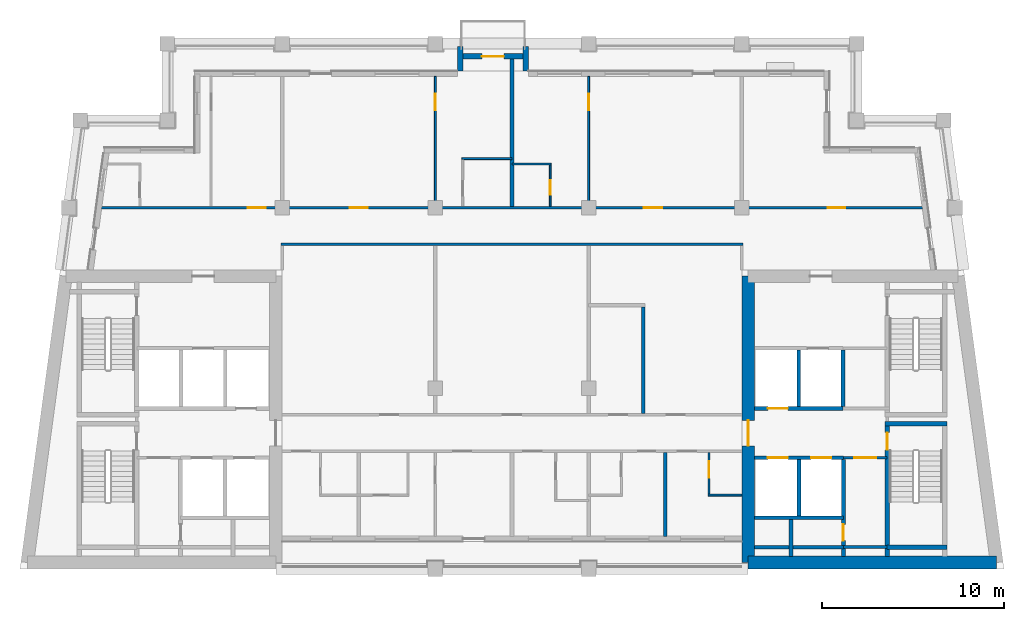
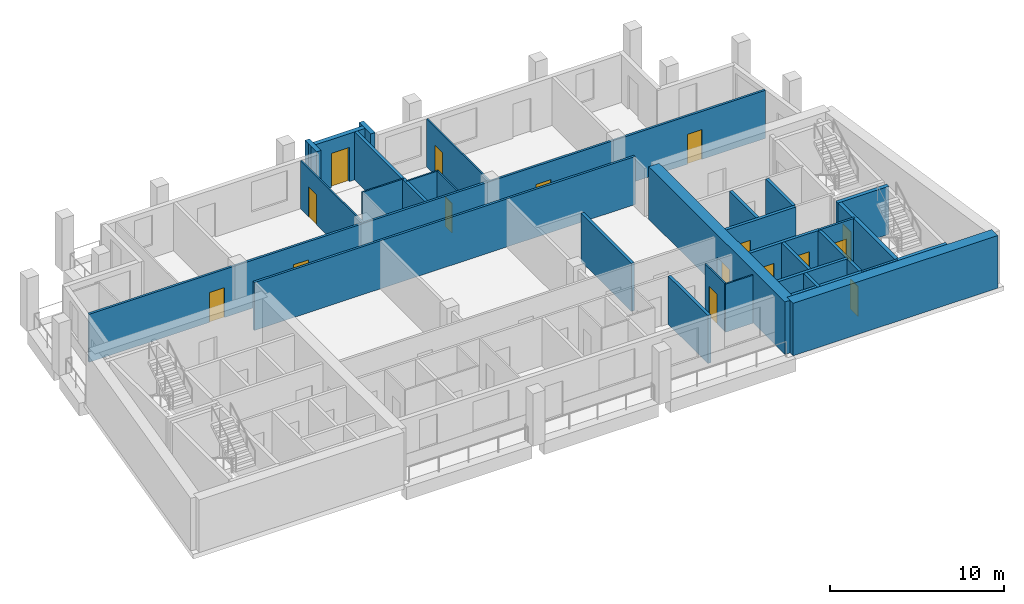
# One storey, part 4 of 10: 31 walls, 16 doors, 16 openings.
"""IFC4 building model written with IfcOpenShell, lengths in metres."""

from ifc_helpers import new_model, si_unit, direction, frame, frame_2d, origin, place, context, subcontext, project, spatial, rectangle, extrude, material, layer, layer_set, type_object, element, fill, save


model = new_model("IFC4")

# Units and contexts
model_context = context("Model", 3, precision=1e-05, world=origin(), true_north=direction((0.0, 1.0)))
body_context = subcontext(model_context, "Body", "Model", "MODEL_VIEW")
ifc_project = project(units=[si_unit("LENGTHUNIT", "METRE"), si_unit("AREAUNIT", "SQUARE_METRE"), si_unit("VOLUMEUNIT", "CUBIC_METRE"), si_unit("PLANEANGLEUNIT", "RADIAN"), si_unit("MASSUNIT", "GRAM", prefix="KILO")], contexts=[model_context])

# Site, building, storey
site_placement = place(None, origin())
site = spatial("IfcSite", under=ifc_project, at=site_placement, CompositionType="ELEMENT")
building_placement = place(site_placement, origin())
building = spatial("IfcBuilding", under=site, at=building_placement, Name="Candeia Pilgrim Tower and Theatre", CompositionType="ELEMENT")
storey_placement = place(building_placement, frame((0.0, 0.0, 288.60009765625)))
storey = spatial("IfcBuildingStorey", under=building, at=storey_placement, Name="L70", CompositionType="ELEMENT", Elevation=288.60009765625)

# Wall
ifc_material_1 = material(Name="Concrete C40/50", Category="concrete")
ifc_layer_1 = layer(ifc_material_1, 0.699951171875)
ifc_layer_set_1 = layer_set([ifc_layer_1], Name="Core wall 700 C40/50")
wall_type_1 = type_object("IfcWallType", Name="Core wall 700 C40/50", PredefinedType="SHEAR", material=ifc_layer_set_1)
wall_1_placement = place(storey_placement, frame((139.9765625, 116.35009765625, 0.0), z_axis=(0.0, 0.0, 1.0), x_axis=(-1.0, 0.0, 0.0)))
element("IfcWall", 1, at=wall_1_placement, inside=storey, type_object=wall_type_1, Name="Core wall E3", PredefinedType="SHEAR", context=body_context, shape_type="SweptSolid", body=[
    extrude(rectangle(XDim=13.62646484375, YDim=0.699951171875, at=frame_2d((6.813232421875, 0.0))), origin(), (0.0, 0.0, 1.0), 3.699951171875),
])

# Wall, opening, door
wall_2_placement = place(storey_placement, frame((126.35009765625, 116.35009765625, 0.0), z_axis=(0.0, 0.0, 1.0), x_axis=(0.0, 1.0, 0.0)))
wall_2 = element("IfcWall", 2, at=wall_2_placement, inside=storey, type_object=wall_type_1, Name="Core wall E4", PredefinedType="SHEAR", context=body_context, shape_type="SweptSolid", body=[
    extrude(rectangle(XDim=15.699951171875, YDim=0.699951171875, at=frame_2d((7.85009765625, 0.0))), origin(), (0.0, 0.0, 1.0), 3.699951171875),
])
opening_1_placement = place(wall_2_placement, frame((6.39990234375, 0.0, 0.0)))
opening_1 = element("IfcOpeningElement", 3, at=opening_1_placement, cuts=wall_2, Name="Opening L70-D037", PredefinedType="OPENING", context=body_context, shape_type="SweptSolid", body=[
    extrude(rectangle(XDim=1.39990234375, YDim=2.10009765625, at=frame_2d((0.699951171875, 1.050048828125))), frame((0.0, 0.35986328125, 0.0), z_axis=(0.0, -1.0, 0.0), x_axis=(1.0, 0.0, 0.0)), (0.0, 0.0, 1.0), 0.719970703125),
])
ifc_material_2 = material(Name="Steel fire door set", Category="steel")
door_type_1 = type_object("IfcDoorType", Name="D-1400-FD60", OperationType="NOTDEFINED", PredefinedType="DOOR", material=ifc_material_2)
door_1_placement = place(opening_1_placement, origin())
door_1 = element("IfcDoor", 4, at=door_1_placement, inside=storey, type_object=door_type_1, Name="Door L70-D037", OperationType="SINGLE_SWING_LEFT", OverallHeight=2.10009765625, OverallWidth=1.39990234375, PredefinedType="DOOR", context=body_context, shape_type="SweptSolid", body=[
    extrude(rectangle(XDim=1.39990234375, YDim=2.10009765625, at=frame_2d((0.699951171875, 1.050048828125))), frame((0.0, 0.02490234375, 0.0), z_axis=(0.0, -1.0, 0.0), x_axis=(1.0, 0.0, 0.0)), (0.0, 0.0, 1.0), 0.050048828125),
])
fill(opening_1, door_1)

# Walls
ifc_material_3 = material(Name="Ceramic block masonry", Category="masonry")
ifc_layer_2 = layer(ifc_material_3, 0.300048828125)
ifc_layer_set_2 = layer_set([ifc_layer_2], Name="EW2 entrance infill wall 300")
wall_type_2 = type_object("IfcWallType", Name="EW2 entrance infill wall 300", PredefinedType="SOLIDWALL", material=ifc_layer_set_2)
for number, where, z_axis, x_axis, name in (
    (5, (114.14990234375, 143.300048828125, 0.0), (0.0, 0.0, 1.0), (0.0, 1.0, 0.0), "Alcove wall L70"),
    (6, (110.550048828125, 143.300048828125, 0.0), (0.0, 0.0, 1.0), (0.0, 1.0, 0.0), "Alcove wall L70"),
):
    element("IfcWall", number, at=place(storey_placement, frame(where, z_axis=z_axis, x_axis=x_axis)), inside=storey, type_object=wall_type_2, Name=name, PredefinedType="SOLIDWALL", context=body_context, shape_type="SweptSolid", body=[
        extrude(rectangle(XDim=1.349853515625, YDim=0.300048828125, at=frame_2d((0.6748046875, 0.0))), origin(), (0.0, 0.0, 1.0), 3.3798828125),
    ])

# Wall, opening, door
wall_3_placement = place(storey_placement, frame((114.300048828125, 144.10009765625, 0.0), z_axis=(0.0, 0.0, 1.0), x_axis=(-1.0, 0.0, 0.0)))
wall_3 = element("IfcWall", 7, at=wall_3_placement, inside=storey, type_object=wall_type_2, Name="Alcove wall L70", PredefinedType="SOLIDWALL", context=body_context, shape_type="SweptSolid", body=[
    extrude(rectangle(XDim=3.900146484375, YDim=0.300048828125, at=frame_2d((1.9501953125, 0.0))), origin(), (0.0, 0.0, 1.0), 3.3798828125),
])
opening_2_placement = place(wall_3_placement, frame((1.35009765625, 0.0, 0.0)))
opening_2 = element("IfcOpeningElement", 8, at=opening_2_placement, cuts=wall_3, Name="Opening L70-ED659", PredefinedType="OPENING", context=body_context, shape_type="SweptSolid", body=[
    extrude(rectangle(XDim=1.199951171875, YDim=2.39990234375, at=frame_2d((0.60009765625, 1.199951171875))), frame((0.0, 0.16015625, 0.0), z_axis=(0.0, -1.0, 0.0), x_axis=(1.0, 0.0, 0.0)), (0.0, 0.0, 1.0), 0.320068359375),
])
ifc_material_4 = material(Name="Aluminium framed glazed door", Category="aluminium")
door_type_2 = type_object("IfcDoorType", Name="Loggia door 1200x2400", OperationType="DOUBLE_DOOR_SINGLE_SWING", PredefinedType="DOOR", material=ifc_material_4)
door_2_placement = place(opening_2_placement, origin())
door_2 = element("IfcDoor", 9, at=door_2_placement, inside=storey, type_object=door_type_2, Name="Balcony door L70-ED659", OperationType="DOUBLE_DOOR_SINGLE_SWING", OverallHeight=2.39990234375, OverallWidth=1.199951171875, PredefinedType="DOOR", context=body_context, shape_type="SweptSolid", body=[
    extrude(rectangle(XDim=1.199951171875, YDim=2.39990234375, at=frame_2d((0.60009765625, 1.199951171875))), frame((0.0, 0.02490234375, 0.0), z_axis=(0.0, -1.0, 0.0), x_axis=(1.0, 0.0, 0.0)), (0.0, 0.0, 1.0), 0.050048828125),
])
fill(opening_2, door_2)

# Walls
ifc_material_5 = material(Name="Gypsum board partition on steel studs", Category="steel")
ifc_layer_3 = layer(ifc_material_5, 0.10009765625)
ifc_layer_set_3 = layer_set([ifc_layer_3], Name="PW-100 room partition")
wall_type_3 = type_object("IfcWallType", Name="PW-100 room partition", PredefinedType="PARTITIONING", material=ifc_layer_set_3)
wall_4_placement = place(storey_placement, frame((124.14990234375, 120.050048828125, 0.0), z_axis=(0.0, 0.0, 1.0), x_axis=(1.0, 0.0, 0.0)))
element("IfcWall", 10, at=wall_4_placement, inside=storey, type_object=wall_type_3, Name="Room partition L70-012", PredefinedType="PARTITIONING", context=body_context, shape_type="SweptSolid", body=[
    extrude(rectangle(XDim=1.85009765625, YDim=0.10009765625, at=frame_2d((0.925048828125, 0.0))), origin(), (0.0, 0.0, 1.0), 3.3798828125),
])
wall_5_placement = place(storey_placement, frame((113.39990234375, 138.199951171875, 0.0), z_axis=(0.0, 0.0, 1.0), x_axis=(1.0, 0.0, 0.0)))
element("IfcWall", 11, at=wall_5_placement, inside=storey, type_object=wall_type_3, Name="Room partition L70-035", PredefinedType="PARTITIONING", context=body_context, shape_type="SweptSolid", body=[
    extrude(rectangle(XDim=2.150146484375, YDim=0.10009765625, at=frame_2d((1.0751953125, 0.0))), origin(), (0.0, 0.0, 1.0), 3.3798828125),
])
wall_6_placement = place(storey_placement, frame((110.64990234375, 138.5, 0.0), z_axis=(0.0, 0.0, 1.0), x_axis=(1.0, 0.0, 0.0)))
element("IfcWall", 12, at=wall_6_placement, inside=storey, type_object=wall_type_3, Name="Room partition L70-036", PredefinedType="PARTITIONING", context=body_context, shape_type="SweptSolid", body=[
    extrude(rectangle(XDim=2.75, YDim=0.10009765625, at=frame_2d((1.375, 0.0))), origin(), (0.0, 0.0, 1.0), 3.3798828125),
])

# Wall, opening, door
wall_7_placement = place(storey_placement, frame((109.199951171875, 135.875, 0.0), z_axis=(0.0, 0.0, 1.0), x_axis=(0.0, 1.0, 0.0)))
wall_7 = element("IfcWall", 13, at=wall_7_placement, inside=storey, type_object=wall_type_3, Name="Room partition L70-055", PredefinedType="PARTITIONING", context=body_context, shape_type="SweptSolid", body=[
    extrude(rectangle(XDim=7.135009765625, YDim=0.10009765625, at=frame_2d((3.5673828125, 0.0))), origin(), (0.0, 0.0, 1.0), 3.3798828125),
])
opening_3_placement = place(wall_7_placement, frame((5.2900390625, 0.0, 0.0)))
opening_3 = element("IfcOpeningElement", 14, at=opening_3_placement, cuts=wall_7, Name="Opening L70-D024", PredefinedType="OPENING", context=body_context, shape_type="SweptSolid", body=[
    extrude(rectangle(XDim=0.89990234375, YDim=2.10009765625, at=frame_2d((0.449951171875, 1.050048828125))), frame((0.0, 0.06005859375, 0.0), z_axis=(0.0, -1.0, 0.0), x_axis=(1.0, 0.0, 0.0)), (0.0, 0.0, 1.0), 0.1201171875),
])
ifc_material_6 = material(Name="Timber door leaf", Category="wood")
door_type_3 = type_object("IfcDoorType", Name="D-900", OperationType="NOTDEFINED", PredefinedType="DOOR", material=ifc_material_6)
door_3_placement = place(opening_3_placement, origin())
door_3 = element("IfcDoor", 15, at=door_3_placement, inside=storey, type_object=door_type_3, Name="Door L70-D024", OperationType="SINGLE_SWING_RIGHT", OverallHeight=2.10009765625, OverallWidth=0.89990234375, PredefinedType="DOOR", context=body_context, shape_type="SweptSolid", body=[
    extrude(rectangle(XDim=0.89990234375, YDim=2.10009765625, at=frame_2d((0.449951171875, 1.050048828125))), frame((0.0, 0.02490234375, 0.0), z_axis=(0.0, -1.0, 0.0), x_axis=(1.0, 0.0, 0.0)), (0.0, 0.0, 1.0), 0.050048828125),
])
fill(opening_3, door_3)

wall_8_placement = place(storey_placement, frame((115.5, 135.875, 0.0), z_axis=(0.0, 0.0, 1.0), x_axis=(0.0, 1.0, 0.0)))
wall_8 = element("IfcWall", 16, at=wall_8_placement, inside=storey, type_object=wall_type_3, Name="Room partition L70-060", PredefinedType="PARTITIONING", context=body_context, shape_type="SweptSolid", body=[
    extrude(rectangle(XDim=2.27490234375, YDim=0.10009765625, at=frame_2d((1.137451171875, 0.0))), origin(), (0.0, 0.0, 1.0), 3.3798828125),
])
opening_4_placement = place(wall_8_placement, frame((0.635009765625, 0.0, 0.0)))
opening_4 = element("IfcOpeningElement", 17, at=opening_4_placement, cuts=wall_8, Name="Opening L70-D028", PredefinedType="OPENING", context=body_context, shape_type="SweptSolid", body=[
    extrude(rectangle(XDim=0.800048828125, YDim=2.10009765625, at=frame_2d((0.39990234375, 1.050048828125))), frame((0.0, 0.06005859375, 0.0), z_axis=(0.0, -1.0, 0.0), x_axis=(1.0, 0.0, 0.0)), (0.0, 0.0, 1.0), 0.1201171875),
])
door_type_4 = type_object("IfcDoorType", Name="D-800", OperationType="NOTDEFINED", PredefinedType="DOOR", material=ifc_material_6)
door_4_placement = place(opening_4_placement, origin())
door_4 = element("IfcDoor", 18, at=door_4_placement, inside=storey, type_object=door_type_4, Name="Door L70-D028", OperationType="SINGLE_SWING_RIGHT", OverallHeight=2.10009765625, OverallWidth=0.800048828125, PredefinedType="DOOR", context=body_context, shape_type="SweptSolid", body=[
    extrude(rectangle(XDim=0.800048828125, YDim=2.10009765625, at=frame_2d((0.39990234375, 1.050048828125))), frame((0.0, 0.02490234375, 0.0), z_axis=(0.0, -1.0, 0.0), x_axis=(1.0, 0.0, 0.0)), (0.0, 0.0, 1.0), 0.050048828125),
])
fill(opening_4, door_4)

wall_9_placement = place(storey_placement, frame((117.60009765625, 135.875, 0.0), z_axis=(0.0, 0.0, 1.0), x_axis=(0.0, 1.0, 0.0)))
wall_9 = element("IfcWall", 19, at=wall_9_placement, inside=storey, type_object=wall_type_3, Name="Room partition L70-062", PredefinedType="PARTITIONING", context=body_context, shape_type="SweptSolid", body=[
    extrude(rectangle(XDim=7.135009765625, YDim=0.10009765625, at=frame_2d((3.5673828125, 0.0))), origin(), (0.0, 0.0, 1.0), 3.3798828125),
])
opening_5_placement = place(wall_9_placement, frame((5.2900390625, 0.0, 0.0)))
opening_5 = element("IfcOpeningElement", 20, at=opening_5_placement, cuts=wall_9, Name="Opening L70-D027", PredefinedType="OPENING", context=body_context, shape_type="SweptSolid", body=[
    extrude(rectangle(XDim=0.89990234375, YDim=2.10009765625, at=frame_2d((0.449951171875, 1.050048828125))), frame((0.0, 0.06005859375, 0.0), z_axis=(0.0, -1.0, 0.0), x_axis=(1.0, 0.0, 0.0)), (0.0, 0.0, 1.0), 0.1201171875),
])
door_5_placement = place(opening_5_placement, origin())
door_5 = element("IfcDoor", 21, at=door_5_placement, inside=storey, type_object=door_type_3, Name="Door L70-D027", OperationType="SINGLE_SWING_LEFT", OverallHeight=2.10009765625, OverallWidth=0.89990234375, PredefinedType="DOOR", context=body_context, shape_type="SweptSolid", body=[
    extrude(rectangle(XDim=0.89990234375, YDim=2.10009765625, at=frame_2d((0.449951171875, 1.050048828125))), frame((0.0, 0.02490234375, 0.0), z_axis=(0.0, -1.0, 0.0), x_axis=(1.0, 0.0, 0.0)), (0.0, 0.0, 1.0), 0.050048828125),
])
fill(opening_5, door_5)

wall_10_placement = place(storey_placement, frame((124.199951171875, 120.10009765625, 0.0), z_axis=(0.0, 0.0, 1.0), x_axis=(0.0, 1.0, 0.0)))
wall_10 = element("IfcWall", 22, at=wall_10_placement, inside=storey, type_object=wall_type_3, Name="Room partition L70-068", PredefinedType="PARTITIONING", context=body_context, shape_type="SweptSolid", body=[
    extrude(rectangle(XDim=2.27490234375, YDim=0.10009765625, at=frame_2d((1.137451171875, 0.0))), origin(), (0.0, 0.0, 1.0), 3.3798828125),
])
opening_6_placement = place(wall_10_placement, frame((0.89990234375, 0.0, 0.0)))
opening_6 = element("IfcOpeningElement", 23, at=opening_6_placement, cuts=wall_10, Name="Opening L70-D019", PredefinedType="OPENING", context=body_context, shape_type="SweptSolid", body=[
    extrude(rectangle(XDim=0.89990234375, YDim=2.10009765625, at=frame_2d((0.449951171875, 1.050048828125))), frame((0.0, 0.06005859375, 0.0), z_axis=(0.0, -1.0, 0.0), x_axis=(1.0, 0.0, 0.0)), (0.0, 0.0, 1.0), 0.1201171875),
])
door_6_placement = place(opening_6_placement, origin())
door_6 = element("IfcDoor", 24, at=door_6_placement, inside=storey, type_object=door_type_3, Name="Door L70-D019", OperationType="SINGLE_SWING_LEFT", OverallHeight=2.10009765625, OverallWidth=0.89990234375, PredefinedType="DOOR", context=body_context, shape_type="SweptSolid", body=[
    extrude(rectangle(XDim=0.89990234375, YDim=2.10009765625, at=frame_2d((0.449951171875, 1.050048828125))), frame((0.0, 0.02490234375, 0.0), z_axis=(0.0, -1.0, 0.0), x_axis=(1.0, 0.0, 0.0)), (0.0, 0.0, 1.0), 0.050048828125),
])
fill(opening_6, door_6)

# Wall
ifc_layer_4 = layer(ifc_material_5, 0.14990234375)
ifc_layer_set_4 = layer_set([ifc_layer_4], Name="PW-150 lobby wall")
wall_type_4 = type_object("IfcWallType", Name="PW-150 lobby wall", PredefinedType="PARTITIONING", material=ifc_layer_set_4)
wall_11_placement = place(storey_placement, frame((131.572998046875, 117.199951171875, 0.0), z_axis=(0.0, 0.0, 1.0), x_axis=(1.0, 0.0, 0.0)))
element("IfcWall", 25, at=wall_11_placement, inside=storey, type_object=wall_type_4, Name="Lobby wall L70-004", PredefinedType="PARTITIONING", context=body_context, shape_type="SweptSolid", body=[
    extrude(rectangle(XDim=2.39990234375, YDim=0.14990234375, at=frame_2d((1.199951171875, 0.0))), origin(), (0.0, 0.0, 1.0), 3.3798828125),
])

# Wall, opening, door
wall_12_placement = place(storey_placement, frame((131.572998046875, 122.10009765625, 0.0), z_axis=(0.0, 0.0, 1.0), x_axis=(1.0, 0.0, 0.0)))
wall_12 = element("IfcWall", 26, at=wall_12_placement, inside=storey, type_object=wall_type_4, Name="Lobby wall L70-016", PredefinedType="PARTITIONING", context=body_context, shape_type="SweptSolid", body=[
    extrude(rectangle(XDim=2.39990234375, YDim=0.14990234375, at=frame_2d((1.199951171875, 0.0))), origin(), (0.0, 0.0, 1.0), 3.3798828125),
])
opening_7_placement = place(wall_12_placement, frame((0.60009765625, 0.0, 0.0)))
opening_7 = element("IfcOpeningElement", 27, at=opening_7_placement, cuts=wall_12, Name="Opening L70-D005", PredefinedType="OPENING", context=body_context, shape_type="SweptSolid", body=[
    extrude(rectangle(XDim=1.199951171875, YDim=2.10009765625, at=frame_2d((0.60009765625, 1.050048828125))), frame((0.0, 0.0849609375, 0.0), z_axis=(0.0, -1.0, 0.0), x_axis=(1.0, 0.0, 0.0)), (0.0, 0.0, 1.0), 0.169921875),
])
door_type_5 = type_object("IfcDoorType", Name="D-1200-FD60", OperationType="NOTDEFINED", PredefinedType="DOOR", material=ifc_material_2)
door_7_placement = place(opening_7_placement, origin())
door_7 = element("IfcDoor", 28, at=door_7_placement, inside=storey, type_object=door_type_5, Name="Door L70-D005", OperationType="SINGLE_SWING_LEFT", OverallHeight=2.10009765625, OverallWidth=1.199951171875, PredefinedType="DOOR", context=body_context, shape_type="SweptSolid", body=[
    extrude(rectangle(XDim=1.199951171875, YDim=2.10009765625, at=frame_2d((0.60009765625, 1.050048828125))), frame((0.0, 0.02490234375, 0.0), z_axis=(0.0, -1.0, 0.0), x_axis=(1.0, 0.0, 0.0)), (0.0, 0.0, 1.0), 0.050048828125),
])
fill(opening_7, door_7)

# Wall
ifc_layer_5 = layer(ifc_material_5, 0.14990234375)
ifc_layer_set_5 = layer_set([ifc_layer_5], Name="PW-150 unit wall")
wall_type_5 = type_object("IfcWallType", Name="PW-150 unit wall", PredefinedType="PARTITIONING", material=ifc_layer_set_5)
wall_13_placement = place(storey_placement, frame((100.72509765625, 133.800048828125, 0.0), z_axis=(0.0, 0.0, 1.0), x_axis=(1.0, 0.0, 0.0)))
element("IfcWall", 29, at=wall_13_placement, inside=storey, type_object=wall_type_5, Name="Unit wall L70-032", PredefinedType="PARTITIONING", context=body_context, shape_type="SweptSolid", body=[
    extrude(rectangle(XDim=25.349853515625, YDim=0.14990234375, at=frame_2d((12.6748046875, 0.0))), origin(), (0.0, 0.0, 1.0), 3.3798828125),
])

# Wall, openings, doors
wall_14_placement = place(storey_placement, frame((90.89453125, 135.800048828125, 0.0), z_axis=(0.0, 0.0, 1.0), x_axis=(1.0, 0.0, 0.0)))
wall_14 = element("IfcWall", 30, at=wall_14_placement, inside=storey, type_object=wall_type_5, Name="Unit wall L70-033", PredefinedType="PARTITIONING", context=body_context, shape_type="SweptSolid", body=[
    extrude(rectangle(XDim=45.010986328125, YDim=0.14990234375, at=frame_2d((22.50537109375, 0.0))), origin(), (0.0, 0.0, 1.0), 3.3798828125),
])
opening_8_placement = place(wall_14_placement, frame((8.00537109375, 0.0, 0.0)))
opening_8 = element("IfcOpeningElement", 31, at=opening_8_placement, cuts=wall_14, Name="Opening L70-D020", PredefinedType="OPENING", context=body_context, shape_type="SweptSolid", body=[
    extrude(rectangle(XDim=1.0, YDim=2.10009765625, at=frame_2d((0.5, 1.050048828125))), frame((0.0, 0.0849609375, 0.0), z_axis=(0.0, -1.0, 0.0), x_axis=(1.0, 0.0, 0.0)), (0.0, 0.0, 1.0), 0.169921875),
])
opening_9_placement = place(wall_14_placement, frame((13.60546875, 0.0, 0.0)))
opening_9 = element("IfcOpeningElement", 32, at=opening_9_placement, cuts=wall_14, Name="Opening L70-D023", PredefinedType="OPENING", context=body_context, shape_type="SweptSolid", body=[
    extrude(rectangle(XDim=1.0, YDim=2.10009765625, at=frame_2d((0.5, 1.050048828125))), frame((0.0, 0.0849609375, 0.0), z_axis=(0.0, -1.0, 0.0), x_axis=(1.0, 0.0, 0.0)), (0.0, 0.0, 1.0), 0.169921875),
])
opening_10_placement = place(wall_14_placement, frame((29.7353515625, 0.0, 0.0)))
opening_10 = element("IfcOpeningElement", 33, at=opening_10_placement, cuts=wall_14, Name="Opening L70-D026", PredefinedType="OPENING", context=body_context, shape_type="SweptSolid", body=[
    extrude(rectangle(XDim=1.0, YDim=2.10009765625, at=frame_2d((0.5, 1.050048828125))), frame((0.0, 0.0849609375, 0.0), z_axis=(0.0, -1.0, 0.0), x_axis=(1.0, 0.0, 0.0)), (0.0, 0.0, 1.0), 0.169921875),
])
opening_11_placement = place(wall_14_placement, frame((39.814453125, 0.0, 0.0)))
opening_11 = element("IfcOpeningElement", 34, at=opening_11_placement, cuts=wall_14, Name="Opening L70-D029", PredefinedType="OPENING", context=body_context, shape_type="SweptSolid", body=[
    extrude(rectangle(XDim=0.949951171875, YDim=2.10009765625, at=frame_2d((0.47509765625, 1.050048828125))), frame((0.0, 0.0849609375, 0.0), z_axis=(0.0, -1.0, 0.0), x_axis=(1.0, 0.0, 0.0)), (0.0, 0.0, 1.0), 0.169921875),
])
door_type_6 = type_object("IfcDoorType", Name="D-1000-FD30S", OperationType="NOTDEFINED", PredefinedType="DOOR", material=ifc_material_2)
door_8_placement = place(opening_8_placement, origin())
door_8 = element("IfcDoor", 35, at=door_8_placement, inside=storey, type_object=door_type_6, Name="Door L70-D020", OperationType="SINGLE_SWING_RIGHT", OverallHeight=2.10009765625, OverallWidth=1.0, PredefinedType="DOOR", context=body_context, shape_type="SweptSolid", body=[
    extrude(rectangle(XDim=1.0, YDim=2.10009765625, at=frame_2d((0.5, 1.050048828125))), frame((0.0, 0.02490234375, 0.0), z_axis=(0.0, -1.0, 0.0), x_axis=(1.0, 0.0, 0.0)), (0.0, 0.0, 1.0), 0.050048828125),
])
fill(opening_8, door_8)
door_9_placement = place(opening_9_placement, origin())
door_9 = element("IfcDoor", 36, at=door_9_placement, inside=storey, type_object=door_type_6, Name="Door L70-D023", OperationType="SINGLE_SWING_LEFT", OverallHeight=2.10009765625, OverallWidth=1.0, PredefinedType="DOOR", context=body_context, shape_type="SweptSolid", body=[
    extrude(rectangle(XDim=1.0, YDim=2.10009765625, at=frame_2d((0.5, 1.050048828125))), frame((0.0, 0.02490234375, 0.0), z_axis=(0.0, -1.0, 0.0), x_axis=(1.0, 0.0, 0.0)), (0.0, 0.0, 1.0), 0.050048828125),
])
fill(opening_9, door_9)
door_10_placement = place(opening_10_placement, origin())
door_10 = element("IfcDoor", 37, at=door_10_placement, inside=storey, type_object=door_type_6, Name="Door L70-D026", OperationType="SINGLE_SWING_RIGHT", OverallHeight=2.10009765625, OverallWidth=1.0, PredefinedType="DOOR", context=body_context, shape_type="SweptSolid", body=[
    extrude(rectangle(XDim=1.0, YDim=2.10009765625, at=frame_2d((0.5, 1.050048828125))), frame((0.0, 0.02490234375, 0.0), z_axis=(0.0, -1.0, 0.0), x_axis=(1.0, 0.0, 0.0)), (0.0, 0.0, 1.0), 0.050048828125),
])
fill(opening_10, door_10)
door_type_7 = type_object("IfcDoorType", Name="D-950-FD30S", OperationType="NOTDEFINED", PredefinedType="DOOR", material=ifc_material_2)
door_11_placement = place(opening_11_placement, origin())
door_11 = element("IfcDoor", 38, at=door_11_placement, inside=storey, type_object=door_type_7, Name="Door L70-D029", OperationType="SINGLE_SWING_LEFT", OverallHeight=2.10009765625, OverallWidth=0.949951171875, PredefinedType="DOOR", context=body_context, shape_type="SweptSolid", body=[
    extrude(rectangle(XDim=0.949951171875, YDim=2.10009765625, at=frame_2d((0.47509765625, 1.050048828125))), frame((0.0, 0.02490234375, 0.0), z_axis=(0.0, -1.0, 0.0), x_axis=(1.0, 0.0, 0.0)), (0.0, 0.0, 1.0), 0.050048828125),
])
fill(opening_11, door_11)

# Walls
ifc_layer_6 = layer(ifc_material_5, 0.199951171875)
ifc_layer_set_6 = layer_set([ifc_layer_6], Name="PW-200 party wall")
wall_type_6 = type_object("IfcWallType", Name="PW-200 party wall", PredefinedType="PARTITIONING", material=ifc_layer_set_6)
wall_15_placement = place(storey_placement, frame((113.39990234375, 135.875, 0.0), z_axis=(0.0, 0.0, 1.0), x_axis=(0.0, 1.0, 0.0)))
element("IfcWall", 39, at=wall_15_placement, inside=storey, type_object=wall_type_6, Name="Party wall L70-059", PredefinedType="PARTITIONING", context=body_context, shape_type="SweptSolid", body=[
    extrude(rectangle(XDim=8.0849609375, YDim=0.199951171875, at=frame_2d((4.04248046875, 0.0))), origin(), (0.0, 0.0, 1.0), 3.3798828125),
])
wall_16_placement = place(storey_placement, frame((120.60009765625, 124.52490234375, 0.0), z_axis=(0.0, 0.0, 1.0), x_axis=(0.0, 1.0, 0.0)))
element("IfcWall", 40, at=wall_16_placement, inside=storey, type_object=wall_type_6, Name="Party wall L70-066", PredefinedType="PARTITIONING", context=body_context, shape_type="SweptSolid", body=[
    extrude(rectangle(XDim=5.8251953125, YDim=0.199951171875, at=frame_2d((2.91259765625, 0.0))), origin(), (0.0, 0.0, 1.0), 3.3798828125),
])
wall_17_placement = place(storey_placement, frame((121.800048828125, 117.7900390625, 0.0), z_axis=(0.0, 0.0, 1.0), x_axis=(0.0, 1.0, 0.0)))
element("IfcWall", 41, at=wall_17_placement, inside=storey, type_object=wall_type_6, Name="Party wall L70-067", PredefinedType="PARTITIONING", context=body_context, shape_type="SweptSolid", body=[
    extrude(rectangle(XDim=4.5849609375, YDim=0.199951171875, at=frame_2d((2.29248046875, 0.0))), origin(), (0.0, 0.0, 1.0), 3.3798828125),
])
ifc_layer_7 = layer(ifc_material_1, 0.199951171875)
ifc_layer_set_7 = layer_set([ifc_layer_7], Name="SW-200 shaft wall")
wall_type_7 = type_object("IfcWallType", Name="SW-200 shaft wall", PredefinedType="PARTITIONING", material=ifc_layer_set_7)
for number, where, z_axis, x_axis, name in (
    (42, (126.699951171875, 117.199951171875, 0.0), (0.0, 0.0, 1.0), (1.0, 0.0, 0.0), "Shaft wall L70-002"),
    (43, (126.699951171875, 118.800048828125, 0.0), (0.0, 0.0, 1.0), (1.0, 0.0, 0.0), "Shaft wall L70-008"),
):
    element("IfcWall", number, at=place(storey_placement, frame(where, z_axis=z_axis, x_axis=x_axis)), inside=storey, type_object=wall_type_7, Name=name, PredefinedType="PARTITIONING", context=body_context, shape_type="SweptSolid", body=[
        extrude(rectangle(XDim=4.873046875, YDim=0.199951171875, at=frame_2d((2.4365234375, 0.0))), origin(), (0.0, 0.0, 1.0), 3.3798828125),
    ])

# Wall, openings, doors
wall_18_placement = place(storey_placement, frame((126.699951171875, 122.10009765625, 0.0), z_axis=(0.0, 0.0, 1.0), x_axis=(1.0, 0.0, 0.0)))
wall_18 = element("IfcWall", 44, at=wall_18_placement, inside=storey, type_object=wall_type_7, Name="Shaft wall L70-014", PredefinedType="PARTITIONING", context=body_context, shape_type="SweptSolid", body=[
    extrude(rectangle(XDim=4.873046875, YDim=0.199951171875, at=frame_2d((2.4365234375, 0.0))), origin(), (0.0, 0.0, 1.0), 3.3798828125),
])
opening_12_placement = place(wall_18_placement, frame((3.10498046875, 0.0, 0.0)))
opening_12 = element("IfcOpeningElement", 45, at=opening_12_placement, cuts=wall_18, Name="Opening L70-LD05", PredefinedType="OPENING", context=body_context, shape_type="SweptSolid", body=[
    extrude(rectangle(XDim=1.10009765625, YDim=2.10009765625, at=frame_2d((0.550048828125, 1.050048828125))), frame((0.0, 0.10986328125, 0.0), z_axis=(0.0, -1.0, 0.0), x_axis=(1.0, 0.0, 0.0)), (0.0, 0.0, 1.0), 0.219970703125),
])
opening_13_placement = place(wall_18_placement, frame((0.73193359375, 0.0, 0.0)))
opening_13 = element("IfcOpeningElement", 46, at=opening_13_placement, cuts=wall_18, Name="Opening L70-LD06", PredefinedType="OPENING", context=body_context, shape_type="SweptSolid", body=[
    extrude(rectangle(XDim=1.10009765625, YDim=2.10009765625, at=frame_2d((0.550048828125, 1.050048828125))), frame((0.0, 0.10986328125, 0.0), z_axis=(0.0, -1.0, 0.0), x_axis=(1.0, 0.0, 0.0)), (0.0, 0.0, 1.0), 0.219970703125),
])
ifc_material_7 = material(Name="Glazed aluminium landing door", Category="aluminium")
door_type_8 = type_object("IfcDoorType", Name="LD-1100-EI120", OperationType="SLIDING_TO_LEFT", PredefinedType="DOOR", material=ifc_material_7)
door_12_placement = place(opening_12_placement, origin())
door_12 = element("IfcDoor", 47, at=door_12_placement, inside=storey, type_object=door_type_8, Name="Landing door 05 L70", OperationType="SLIDING_TO_LEFT", OverallHeight=2.10009765625, OverallWidth=1.10009765625, PredefinedType="DOOR", context=body_context, shape_type="SweptSolid", body=[
    extrude(rectangle(XDim=1.10009765625, YDim=2.10009765625, at=frame_2d((0.550048828125, 1.050048828125))), frame((0.0, 0.02490234375, 0.0), z_axis=(0.0, -1.0, 0.0), x_axis=(1.0, 0.0, 0.0)), (0.0, 0.0, 1.0), 0.050048828125),
])
fill(opening_12, door_12)
door_13_placement = place(opening_13_placement, origin())
door_13 = element("IfcDoor", 48, at=door_13_placement, inside=storey, type_object=door_type_8, Name="Landing door 06 L70", OperationType="SLIDING_TO_LEFT", OverallHeight=2.10009765625, OverallWidth=1.10009765625, PredefinedType="DOOR", context=body_context, shape_type="SweptSolid", body=[
    extrude(rectangle(XDim=1.10009765625, YDim=2.10009765625, at=frame_2d((0.550048828125, 1.050048828125))), frame((0.0, 0.02490234375, 0.0), z_axis=(0.0, -1.0, 0.0), x_axis=(1.0, 0.0, 0.0)), (0.0, 0.0, 1.0), 0.050048828125),
])
fill(opening_13, door_13)

# Wall, opening, door
wall_19_placement = place(storey_placement, frame((126.699951171875, 124.800048828125, 0.0), z_axis=(0.0, 0.0, 1.0), x_axis=(1.0, 0.0, 0.0)))
wall_19 = element("IfcWall", 49, at=wall_19_placement, inside=storey, type_object=wall_type_7, Name="Shaft wall L70-024", PredefinedType="PARTITIONING", context=body_context, shape_type="SweptSolid", body=[
    extrude(rectangle(XDim=4.8486328125, YDim=0.199951171875, at=frame_2d((2.42431640625, 0.0))), origin(), (0.0, 0.0, 1.0), 3.3798828125),
])
opening_14_placement = place(wall_19_placement, frame((0.72509765625, 0.0, 0.0)))
opening_14 = element("IfcOpeningElement", 50, at=opening_14_placement, cuts=wall_19, Name="Opening L70-LD08", PredefinedType="OPENING", context=body_context, shape_type="SweptSolid", body=[
    extrude(rectangle(XDim=1.10009765625, YDim=2.10009765625, at=frame_2d((0.550048828125, 1.050048828125))), frame((0.0, 0.10986328125, 0.0), z_axis=(0.0, -1.0, 0.0), x_axis=(1.0, 0.0, 0.0)), (0.0, 0.0, 1.0), 0.219970703125),
])
door_14_placement = place(opening_14_placement, origin())
door_14 = element("IfcDoor", 51, at=door_14_placement, inside=storey, type_object=door_type_8, Name="Landing door 08 L70", OperationType="SLIDING_TO_LEFT", OverallHeight=2.10009765625, OverallWidth=1.10009765625, PredefinedType="DOOR", context=body_context, shape_type="SweptSolid", body=[
    extrude(rectangle(XDim=1.10009765625, YDim=2.10009765625, at=frame_2d((0.550048828125, 1.050048828125))), frame((0.0, 0.02490234375, 0.0), z_axis=(0.0, -1.0, 0.0), x_axis=(1.0, 0.0, 0.0)), (0.0, 0.0, 1.0), 0.050048828125),
])
fill(opening_14, door_14)

# Walls
wall_20_placement = place(storey_placement, frame((128.699951171875, 116.669921875, 0.0), z_axis=(0.0, 0.0, 1.0), x_axis=(0.0, 1.0, 0.0)))
element("IfcWall", 52, at=wall_20_placement, inside=storey, type_object=wall_type_7, Name="Shaft wall L70-071", PredefinedType="PARTITIONING", context=body_context, shape_type="SweptSolid", body=[
    extrude(rectangle(XDim=2.030029296875, YDim=0.199951171875, at=frame_2d((1.01513671875, 0.0))), origin(), (0.0, 0.0, 1.0), 3.3798828125),
])
for number, where, z_axis, x_axis, name in (
    (53, (129.124267578125, 124.89990234375, 0.0), (0.0, 0.0, 1.0), (0.0, 1.0, 0.0), "Shaft wall L70-072"),
    (54, (129.136474609375, 118.89990234375, 0.0), (0.0, 0.0, 1.0), (0.0, 1.0, 0.0), "Shaft wall L70-073"),
    (55, (131.548583984375, 124.89990234375, 0.0), (0.0, 0.0, 1.0), (0.0, 1.0, 0.0), "Shaft wall L70-074"),
):
    element("IfcWall", number, at=place(storey_placement, frame(where, z_axis=z_axis, x_axis=x_axis)), inside=storey, type_object=wall_type_7, Name=name, PredefinedType="PARTITIONING", context=body_context, shape_type="SweptSolid", body=[
        extrude(rectangle(XDim=3.10009765625, YDim=0.199951171875, at=frame_2d((1.550048828125, 0.0))), origin(), (0.0, 0.0, 1.0), 3.3798828125),
    ])

# Wall, opening, door
wall_21_placement = place(storey_placement, frame((131.572998046875, 116.669921875, 0.0), z_axis=(0.0, 0.0, 1.0), x_axis=(0.0, 1.0, 0.0)))
wall_21 = element("IfcWall", 56, at=wall_21_placement, inside=storey, type_object=wall_type_7, Name="Shaft wall L70-075", PredefinedType="PARTITIONING", context=body_context, shape_type="SweptSolid", body=[
    extrude(rectangle(XDim=5.330078125, YDim=0.199951171875, at=frame_2d((2.6650390625, 0.0))), origin(), (0.0, 0.0, 1.0), 3.3798828125),
])
opening_15_placement = place(wall_21_placement, frame((0.8798828125, 0.0, 0.0)))
opening_15 = element("IfcOpeningElement", 57, at=opening_15_placement, cuts=wall_21, Name="Opening L70-D008", PredefinedType="OPENING", context=body_context, shape_type="SweptSolid", body=[
    extrude(rectangle(XDim=0.89990234375, YDim=2.10009765625, at=frame_2d((0.449951171875, 1.050048828125))), frame((0.0, 0.10986328125, 0.0), z_axis=(0.0, -1.0, 0.0), x_axis=(1.0, 0.0, 0.0)), (0.0, 0.0, 1.0), 0.219970703125),
])
door_type_9 = type_object("IfcDoorType", Name="D-900-FD60", OperationType="NOTDEFINED", PredefinedType="DOOR", material=ifc_material_2)
door_15_placement = place(opening_15_placement, origin())
door_15 = element("IfcDoor", 58, at=door_15_placement, inside=storey, type_object=door_type_9, Name="Door L70-D008", OperationType="SINGLE_SWING_RIGHT", OverallHeight=2.10009765625, OverallWidth=0.89990234375, PredefinedType="DOOR", context=body_context, shape_type="SweptSolid", body=[
    extrude(rectangle(XDim=0.89990234375, YDim=2.10009765625, at=frame_2d((0.449951171875, 1.050048828125))), frame((0.0, 0.02490234375, 0.0), z_axis=(0.0, -1.0, 0.0), x_axis=(1.0, 0.0, 0.0)), (0.0, 0.0, 1.0), 0.050048828125),
])
fill(opening_15, door_15)

# Walls
ifc_layer_8 = layer(ifc_material_1, 0.25)
ifc_layer_set_8 = layer_set([ifc_layer_8], Name="SW-250 stair wall")
wall_type_8 = type_object("IfcWallType", Name="SW-250 stair wall", PredefinedType="PARTITIONING", material=ifc_layer_set_8)
wall_22_placement = place(storey_placement, frame((133.972900390625, 117.199951171875, 0.0), z_axis=(0.0, 0.0, 1.0), x_axis=(1.0, 0.0, 0.0)))
element("IfcWall", 59, at=wall_22_placement, inside=storey, type_object=wall_type_8, Name="Stair wall L70-006", PredefinedType="PARTITIONING", context=body_context, shape_type="SweptSolid", body=[
    extrude(rectangle(XDim=3.275146484375, YDim=0.25, at=frame_2d((1.6376953125, 0.0))), origin(), (0.0, 0.0, 1.0), 3.3798828125),
])
wall_23_placement = place(storey_placement, frame((133.847900390625, 123.949951171875, 0.0), z_axis=(0.0, 0.0, 1.0), x_axis=(1.0, 0.0, 0.0)))
element("IfcWall", 60, at=wall_23_placement, inside=storey, type_object=wall_type_8, Name="Stair wall L70-019", PredefinedType="PARTITIONING", context=body_context, shape_type="SweptSolid", body=[
    extrude(rectangle(XDim=3.400146484375, YDim=0.25, at=frame_2d((1.7001953125, 0.0))), origin(), (0.0, 0.0, 1.0), 3.3798828125),
])

# Wall, opening, door
wall_24_placement = place(storey_placement, frame((133.972900390625, 116.669921875, 0.0), z_axis=(0.0, 0.0, 1.0), x_axis=(0.0, 1.0, 0.0)))
wall_24 = element("IfcWall", 61, at=wall_24_placement, inside=storey, type_object=wall_type_8, Name="Stair wall L70-077", PredefinedType="PARTITIONING", context=body_context, shape_type="SweptSolid", body=[
    extrude(rectangle(XDim=7.155029296875, YDim=0.25, at=frame_2d((3.57763671875, 0.0))), origin(), (0.0, 0.0, 1.0), 3.3798828125),
])
opening_16_placement = place(wall_24_placement, frame((5.85498046875, 0.0, 0.0)))
opening_16 = element("IfcOpeningElement", 62, at=opening_16_placement, cuts=wall_24, Name="Opening L70-D006", PredefinedType="OPENING", context=body_context, shape_type="SweptSolid", body=[
    extrude(rectangle(XDim=0.949951171875, YDim=2.10009765625, at=frame_2d((0.47509765625, 1.050048828125))), frame((0.0, 0.135009765625, 0.0), z_axis=(0.0, -1.0, 0.0), x_axis=(1.0, 0.0, 0.0)), (0.0, 0.0, 1.0), 0.27001953125),
])
door_type_10 = type_object("IfcDoorType", Name="D-950-FD60", OperationType="NOTDEFINED", PredefinedType="DOOR", material=ifc_material_2)
door_16_placement = place(opening_16_placement, origin())
door_16 = element("IfcDoor", 63, at=door_16_placement, inside=storey, type_object=door_type_10, Name="Door L70-D006", OperationType="SINGLE_SWING_RIGHT", OverallHeight=2.10009765625, OverallWidth=0.949951171875, PredefinedType="DOOR", context=body_context, shape_type="SweptSolid", body=[
    extrude(rectangle(XDim=0.949951171875, YDim=2.10009765625, at=frame_2d((0.47509765625, 1.050048828125))), frame((0.0, 0.02490234375, 0.0), z_axis=(0.0, -1.0, 0.0), x_axis=(1.0, 0.0, 0.0)), (0.0, 0.0, 1.0), 0.050048828125),
])
fill(opening_16, door_16)

save(model, "model.ifc")
